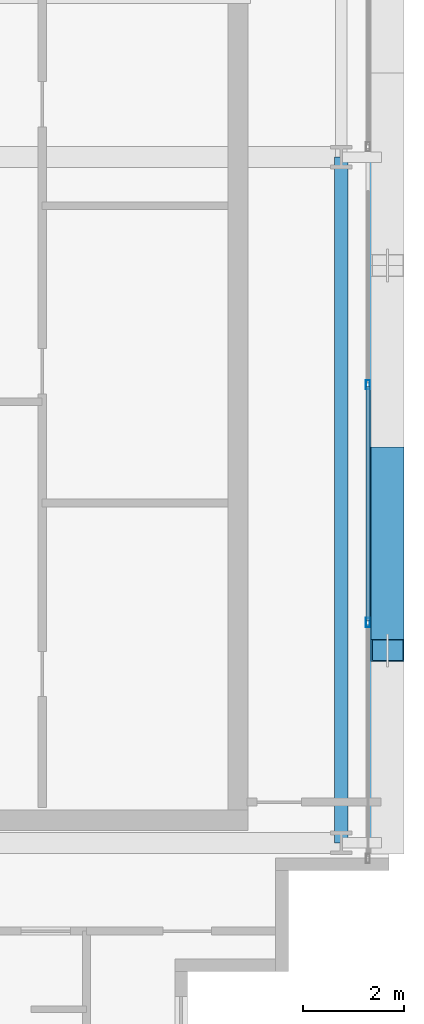
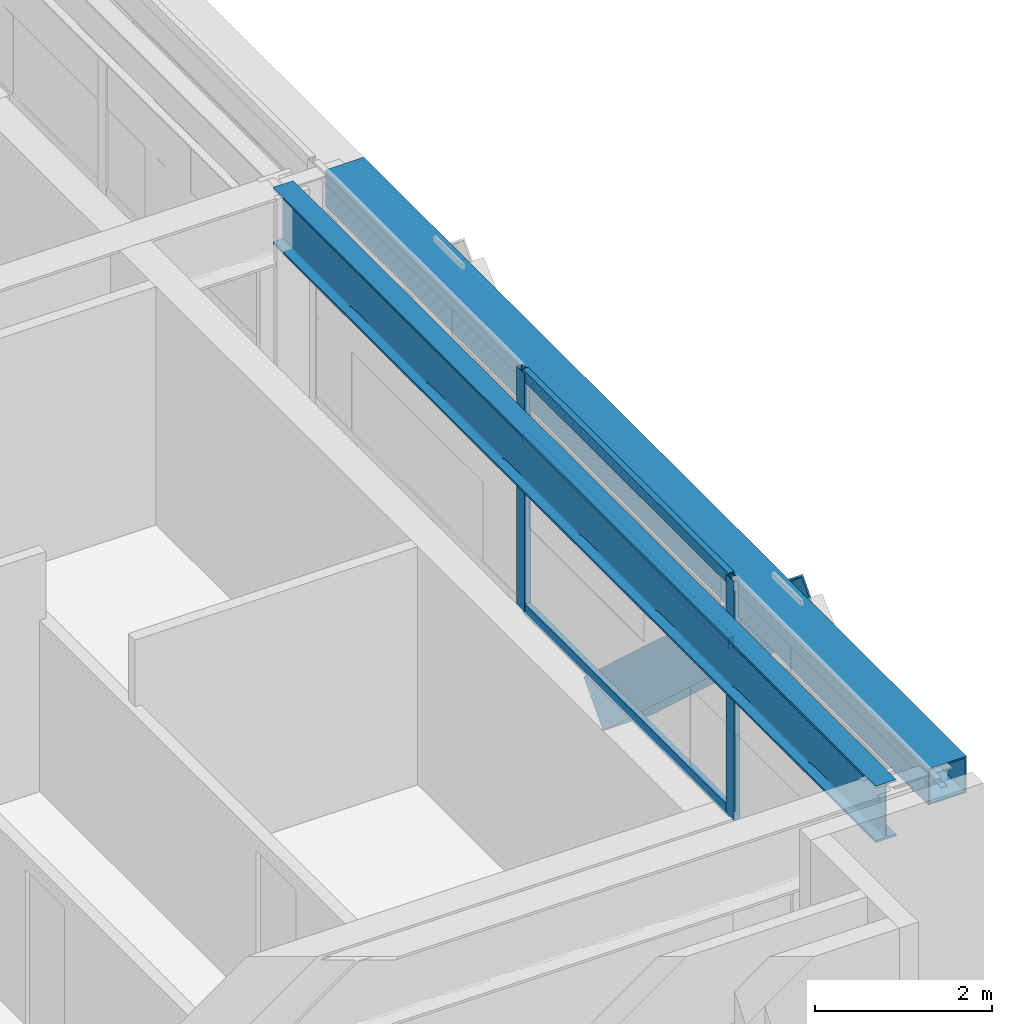
# One storey, part 11 of 28: 6 members, 2 beams, 1 element without a shape of its own.
"""IFC4 building model written with IfcOpenShell, lengths in metres."""

from ifc_helpers import new_model, si_unit, direction, frame, origin, origin_2d, place, context, subcontext, project, spatial, hollow_rectangle, i_section, extrude, source, transform, mapped, material, layer, layer_set, material_profile, profile_set, type_object, element, aggregate, save


model = new_model("IFC4")

# Units and contexts
model_context = context("Model", 3, precision=1e-05, world=origin(), true_north=direction((0.0, 1.0)))
body_context = subcontext(model_context, "Body", "Model", "MODEL_VIEW")
ifc_project = project(units=[si_unit("LENGTHUNIT", "METRE"), si_unit("AREAUNIT", "SQUARE_METRE"), si_unit("VOLUMEUNIT", "CUBIC_METRE"), si_unit("PLANEANGLEUNIT", "RADIAN"), si_unit("MASSUNIT", "GRAM", prefix="KILO")], contexts=[model_context])

# Site, building, storey
site_placement = place(None, origin())
site = spatial("IfcSite", under=ifc_project, at=site_placement, CompositionType="ELEMENT")
building_placement = place(site_placement, origin())
building = spatial("IfcBuilding", under=site, at=building_placement, Name="Ocotamira Hotel", CompositionType="ELEMENT")
storey_placement = place(building_placement, frame((0.0, 0.0, 243.60009765625)))
storey = spatial("IfcBuildingStorey", under=building, at=storey_placement, Name="L61", CompositionType="ELEMENT", Elevation=243.60009765625)

# Beams
ifc_material_1 = material(Name="Steel ASTM A992 Grade 50", Category="steel")
ifc_material_profile_1 = material_profile(ifc_material_1, i_section(OverallWidth=0.26611328125, OverallDepth=0.779052734375, WebThickness=0.0166015625, FlangeThickness=0.030029296875, FilletRadius=0.01806640625, at=origin_2d()), Name="W30X148")
ifc_profile_set_1 = profile_set([ifc_material_profile_1], Name="Steel ASTM A992 Grade 50")
beam_type_1 = type_object("IfcBeamType", Name="BM-GIRD-W30X148", PredefinedType="BEAM", material=ifc_profile_set_1)
shared_shape_1 = source(origin(), body_context, "Body", "SweptSolid", [
    extrude(i_section(OverallWidth=0.26611328125, OverallDepth=0.779052734375, WebThickness=0.0166015625, FlangeThickness=0.030029296875, FilletRadius=0.01806640625, at=origin_2d()), origin(), (0.0, 0.0, 1.0), 13.599853515625),
])
beam_1_placement = place(storey_placement, frame((55.050048828125, 14.550048828125, 2.890380859375), z_axis=(0.0, 1.0, 0.0), x_axis=(-1.0, 0.0, 0.0)))
element("IfcBeam", 1, at=beam_1_placement, inside=storey, type_object=beam_type_1, Name="L61 Beam X55.05 Y14.55-28.15", PredefinedType="BEAM", context=body_context, shape_type="MappedRepresentation", body=[
    mapped(shared_shape_1, transform((0.0, 0.0, 0.0), scale=1.0)),
])
ifc_material_2 = material(Name="Steel ASTM A500 Grade C", Category="steel")
ifc_material_profile_2 = material_profile(ifc_material_2, hollow_rectangle(XDim=0.5, YDim=0.5, WallThickness=0.02001953125, at=origin_2d()), Name="HSS500X500X20")
ifc_profile_set_2 = profile_set([ifc_material_profile_2], Name="Steel ASTM A500 Grade C")
beam_type_2 = type_object("IfcBeamType", Name="BM-SPAN-HSS500", PredefinedType="USERDEFINED", material=ifc_profile_set_2)
shared_shape_2 = source(origin(), body_context, "Body", "SweptSolid", [
    extrude(hollow_rectangle(XDim=0.5, YDim=0.5, WallThickness=0.02001953125, at=origin_2d()), origin(), (0.0, 0.0, 1.0), 13.599853515625),
])
beam_2_placement = place(storey_placement, frame((55.85009765625, 14.550048828125, 3.02978515625), z_axis=(0.0, 1.0, 0.0), x_axis=(-1.0, 0.0, 0.0)))
element("IfcBeam", 2, at=beam_2_placement, inside=storey, type_object=beam_type_2, Name="L61 Edge Spandrel E Y14.55-28.15", ObjectType="SPANDREL", PredefinedType="USERDEFINED", context=body_context, shape_type="MappedRepresentation", body=[
    mapped(shared_shape_2, transform((0.0, 0.0, 0.0), scale=1.0)),
])

# Member
ifc_material_3 = material(Name="Pale-metal coated steel ASTM A913 Grade 65", Category="steel")
ifc_material_profile_3 = material_profile(ifc_material_3, hollow_rectangle(XDim=0.64990234375, YDim=0.64990234375, WallThickness=0.02197265625, at=origin_2d()), Name="BOX650X650X22")
ifc_profile_set_3 = profile_set([ifc_material_profile_3], Name="Pale-metal coated steel ASTM A913 Grade 65")
member_type_1 = type_object("IfcMemberType", Name="MEM-EXO-BOX650", PredefinedType="BRACE", material=ifc_profile_set_3)
shared_shape_3 = source(origin(), body_context, "Body", "SweptSolid", [
    extrude(hollow_rectangle(XDim=0.64990234375, YDim=0.64990234375, WallThickness=0.02197265625, at=origin_2d()), origin(), (0.0, 0.0, 1.0), 5.178466796875),
])
member_1_placement = place(storey_placement, frame((55.969970703125, 22.183349609375, -0.47021484375), z_axis=(0.0, -0.737019094846, 0.675871921174), x_axis=(1.0, 0.0, 0.0)))
element("IfcMember", 3, at=member_1_placement, inside=storey, type_object=member_type_1, Name="L61 Exoskeleton Diagrid E0.2", PredefinedType="BRACE", context=body_context, shape_type="MappedRepresentation", body=[
    mapped(shared_shape_3, transform((0.0, 0.0, 0.0), scale=1.0)),
])

# Curtain wall, members
ifc_material_4 = material(Name="Anodised pale-metal aluminium and solar glass", Category="aluminium")
ifc_layer = layer(ifc_material_4, 0.239990234375)
ifc_layer_set = layer_set([ifc_layer], Name="Anodised pale-metal aluminium and solar glass")
curtain_wall_type = type_object("IfcCurtainWallType", Name="CW-SYS5-SKY", PredefinedType="NOTDEFINED", material=ifc_layer_set)
curtain_wall_placement = place(storey_placement, origin())
curtain_wall = element("IfcCurtainWall", 4, at=curtain_wall_placement, inside=storey, type_object=curtain_wall_type, Name="L61 Curtain Wall CW-5 CW-L61-E", PredefinedType="NOTDEFINED")
ifc_material_5 = material(Name="Anodised pale-metal aluminium 6063-T6", Category="aluminium")
ifc_material_profile_4 = material_profile(ifc_material_5, hollow_rectangle(XDim=0.080078125, YDim=0.179931640625, WallThickness=0.006103515625, at=origin_2d()), Name="HSS180X80X6")
ifc_profile_set_4 = profile_set([ifc_material_profile_4], Name="Anodised pale-metal aluminium 6063-T6")
member_type_2 = type_object("IfcMemberType", Name="CWM-180X75", PredefinedType="MULLION", material=ifc_profile_set_4)
shared_shape_4 = source(origin(), body_context, "Body", "SweptSolid", [
    extrude(hollow_rectangle(XDim=0.080078125, YDim=0.179931640625, WallThickness=0.006103515625, at=origin_2d()), origin(), (0.0, 0.0, 1.0), 3.27978515625),
])
member_2_placement = place(storey_placement, frame((55.580078125, 18.919921875, 0.0), z_axis=(0.0, 0.0, 1.0), x_axis=(-1.0, 0.0, 0.0)))
member_2 = element("IfcMember", 5, at=member_2_placement, type_object=member_type_2, Name="CW-5 mullion 2", PredefinedType="MULLION", context=body_context, shape_type="MappedRepresentation", body=[
    mapped(shared_shape_4, transform((0.0, 0.0, 0.0), scale=1.0)),
])
member_3_placement = place(storey_placement, frame((55.580078125, 23.639892578125, 0.0), z_axis=(0.0, 0.0, 1.0), x_axis=(-1.0, 0.0, 0.0)))
member_3 = element("IfcMember", 6, at=member_3_placement, type_object=member_type_2, Name="CW-5 mullion 3", PredefinedType="MULLION", context=body_context, shape_type="MappedRepresentation", body=[
    mapped(shared_shape_4, transform((0.0, 0.0, 0.0), scale=1.0)),
])
ifc_material_profile_5 = material_profile(ifc_material_5, hollow_rectangle(XDim=0.074951171875, YDim=0.14990234375, WallThickness=0.006103515625, at=origin_2d()), Name="HSS150X75X6")
ifc_profile_set_5 = profile_set([ifc_material_profile_5], Name="Anodised pale-metal aluminium 6063-T6")
member_type_3 = type_object("IfcMemberType", Name="CWT-150X75", PredefinedType="USERDEFINED", material=ifc_profile_set_5)
shared_shape_5 = source(origin(), body_context, "Body", "SweptSolid", [
    extrude(hollow_rectangle(XDim=0.074951171875, YDim=0.14990234375, WallThickness=0.006103515625, at=origin_2d()), origin(), (0.0, 0.0, 1.0), 4.64013671875),
])
member_4_placement = place(storey_placement, frame((55.580078125, 18.9599609375, 0.037353515625), z_axis=(0.0, 1.0, 0.0), x_axis=(-1.0, 0.0, 0.0)))
member_4 = element("IfcMember", 7, at=member_4_placement, type_object=member_type_3, Name="CW-5 transom 2.1", ObjectType="TRANSOM", PredefinedType="USERDEFINED", context=body_context, shape_type="MappedRepresentation", body=[
    mapped(shared_shape_5, transform((0.0, 0.0, 0.0), scale=1.0)),
])
member_5_placement = place(storey_placement, frame((55.580078125, 18.9599609375, 2.349853515625), z_axis=(0.0, 1.0, 0.0), x_axis=(-1.0, 0.0, 0.0)))
member_5 = element("IfcMember", 8, at=member_5_placement, type_object=member_type_3, Name="CW-5 transom 2.2", ObjectType="TRANSOM", PredefinedType="USERDEFINED", context=body_context, shape_type="MappedRepresentation", body=[
    mapped(shared_shape_5, transform((0.0, 0.0, 0.0), scale=1.0)),
])
member_6_placement = place(storey_placement, frame((55.580078125, 18.9599609375, 3.242431640625), z_axis=(0.0, 1.0, 0.0), x_axis=(-1.0, 0.0, 0.0)))
member_6 = element("IfcMember", 9, at=member_6_placement, type_object=member_type_3, Name="CW-5 transom 2.3", ObjectType="TRANSOM", PredefinedType="USERDEFINED", context=body_context, shape_type="MappedRepresentation", body=[
    mapped(shared_shape_5, transform((0.0, 0.0, 0.0), scale=1.0)),
])
aggregate(curtain_wall, [member_2, member_3, member_4, member_5, member_6])

save(model, "model.ifc")
